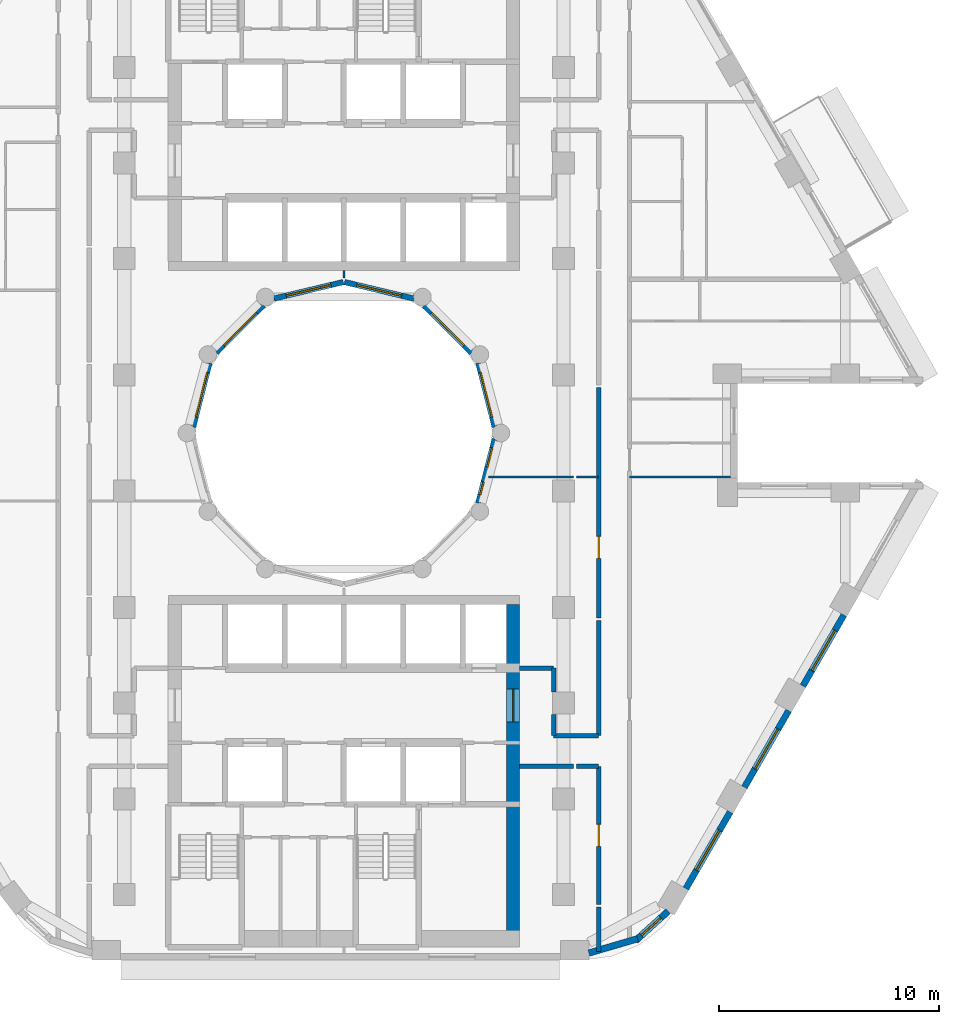
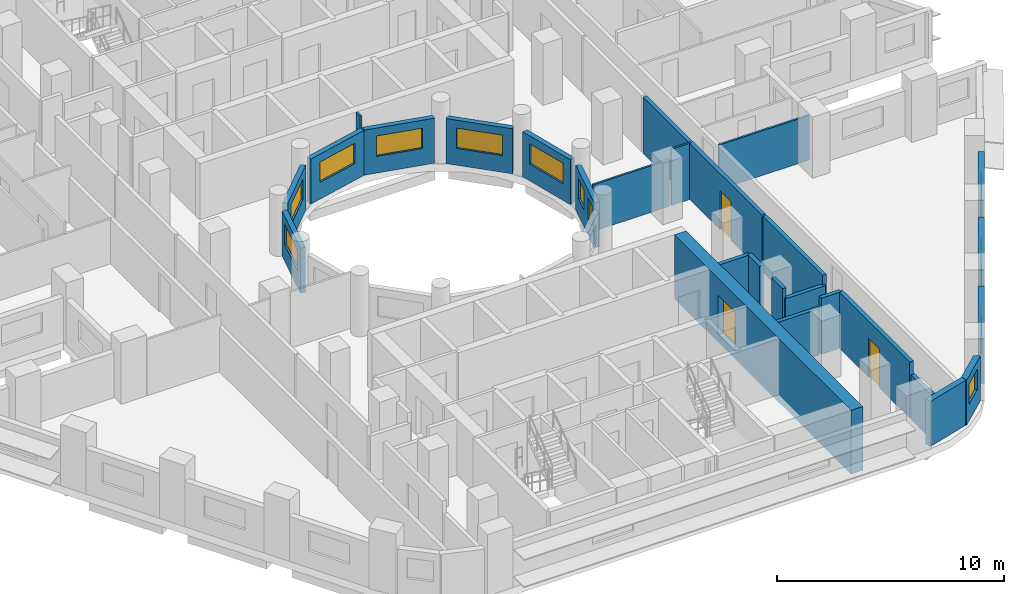
# One storey, part 5 of 14: 27 walls, 12 windows, 3 doors, 15 openings.
"""IFC4 building model written with IfcOpenShell, lengths in metres."""

from ifc_helpers import new_model, si_unit, direction, frame, frame_2d, origin, place, context, subcontext, project, spatial, rectangle, extrude, material, layer, layer_set, type_object, element, fill, save


model = new_model("IFC4")

# Units and contexts
model_context = context("Model", 3, precision=1e-05, world=origin(), true_north=direction((0.0, 1.0)))
body_context = subcontext(model_context, "Body", "Model", "MODEL_VIEW")
ifc_project = project(units=[si_unit("LENGTHUNIT", "METRE"), si_unit("AREAUNIT", "SQUARE_METRE"), si_unit("VOLUMEUNIT", "CUBIC_METRE"), si_unit("PLANEANGLEUNIT", "RADIAN"), si_unit("MASSUNIT", "GRAM", prefix="KILO")], contexts=[model_context])

# Site, building, storey
site_placement = place(None, origin())
site = spatial("IfcSite", under=ifc_project, at=site_placement, CompositionType="ELEMENT")
building_placement = place(site_placement, origin())
building = spatial("IfcBuilding", under=site, at=building_placement, Name="Nakaniwa Court", CompositionType="ELEMENT")
storey_placement = place(building_placement, frame((0.0, 0.0, 127.199951171875)))
storey = spatial("IfcBuildingStorey", under=building, at=storey_placement, Name="L32", CompositionType="ELEMENT", Elevation=127.199951171875)

# Wall
ifc_material_1 = material(Name="Acoustic double stud partition")
ifc_layer_1 = layer(ifc_material_1, 0.199951171875)
ifc_layer_set_1 = layer_set([ifc_layer_1], Name="Acoustic double stud partition")
wall_type_1 = type_object("IfcWallType", Name="Acoustic double stud partition 200", PredefinedType="PARTITIONING", material=ifc_layer_set_1)
wall_1_placement = place(storey_placement, frame((91.60009765625, 56.40087890625, 0.0), z_axis=(0.0, 0.0, 1.0), x_axis=(0.0, 1.0, 0.0)))
element("IfcWall", 1, at=wall_1_placement, inside=storey, type_object=wall_type_1, Name="Partition PW-073", PredefinedType="PARTITIONING", context=body_context, shape_type="SweptSolid", body=[
    extrude(rectangle(XDim=2.02197265625, YDim=0.199951171875, at=frame_2d((1.010986328125, 0.0))), origin(), (0.0, 0.0, 1.0), 2.405029296875),
])

# Wall, opening, door
wall_2_placement = place(storey_placement, frame((91.60009765625, 58.537109375, 0.0), z_axis=(0.0, 0.0, 1.0), x_axis=(0.0, 1.0, 0.0)))
wall_2 = element("IfcWall", 2, at=wall_2_placement, inside=storey, type_object=wall_type_1, Name="Partition PW-074", PredefinedType="PARTITIONING", context=body_context, shape_type="SweptSolid", body=[
    extrude(rectangle(XDim=6.287841796875, YDim=0.199951171875, at=frame_2d((3.14404296875, 0.0))), origin(), (0.0, 0.0, 1.0), 3.025146484375),
])
opening_1_placement = place(wall_2_placement, frame((2.64501953125, 0.0, 0.0)))
opening_1 = element("IfcOpeningElement", 3, at=opening_1_placement, cuts=wall_2, Name="Opening D-02-01", PredefinedType="OPENING", context=body_context, shape_type="SweptSolid", body=[
    extrude(rectangle(XDim=1.0, YDim=2.10009765625, at=frame_2d((0.5, 1.050048828125))), frame((0.0, 0.10986328125, 0.0), z_axis=(0.0, -1.0, 0.0), x_axis=(1.0, 0.0, 0.0)), (0.0, 0.0, 1.0), 0.219970703125),
])
ifc_material_2 = material(Name="Solid core timber door set, black veneer", Category="wood")
door_type_1 = type_object("IfcDoorType", Name="Internal door 1000", OperationType="NOTDEFINED", PredefinedType="DOOR", material=ifc_material_2)
door_1_placement = place(opening_1_placement, origin())
door_1 = element("IfcDoor", 4, at=door_1_placement, inside=storey, type_object=door_type_1, Name="Door D-02-01 L32-021", OperationType="SINGLE_SWING_RIGHT", OverallHeight=2.10009765625, OverallWidth=1.0, PredefinedType="DOOR", context=body_context, shape_type="SweptSolid", body=[
    extrude(rectangle(XDim=1.0, YDim=2.10009765625, at=frame_2d((0.5, 1.050048828125))), frame((0.0, 0.02490234375, 0.0), z_axis=(0.0, -1.0, 0.0), x_axis=(1.0, 0.0, 0.0)), (0.0, 0.0, 1.0), 0.050048828125),
])
fill(opening_1, door_1)

# Wall
wall_3_placement = place(storey_placement, frame((91.60009765625, 66.22509765625, 0.0), z_axis=(0.0, 0.0, 1.0), x_axis=(0.0, 1.0, 0.0)))
element("IfcWall", 5, at=wall_3_placement, inside=storey, type_object=wall_type_1, Name="Partition PW-075", PredefinedType="PARTITIONING", context=body_context, shape_type="SweptSolid", body=[
    extrude(rectangle(XDim=5.247802734375, YDim=0.199951171875, at=frame_2d((2.6240234375, 0.0))), origin(), (0.0, 0.0, 1.0), 3.025146484375),
])

# Wall, opening, door
wall_4_placement = place(storey_placement, frame((91.60009765625, 71.587158203125, 0.0), z_axis=(0.0, 0.0, 1.0), x_axis=(0.0, 1.0, 0.0)))
wall_4 = element("IfcWall", 6, at=wall_4_placement, inside=storey, type_object=wall_type_1, Name="Partition PW-076", PredefinedType="PARTITIONING", context=body_context, shape_type="SweptSolid", body=[
    extrude(rectangle(XDim=10.485595703125, YDim=0.199951171875, at=frame_2d((5.24267578125, 0.0))), origin(), (0.0, 0.0, 1.0), 3.025146484375),
])
opening_2_placement = place(wall_4_placement, frame((2.7080078125, 0.0, 0.0)))
opening_2 = element("IfcOpeningElement", 7, at=opening_2_placement, cuts=wall_4, Name="Opening D-02-10", PredefinedType="OPENING", context=body_context, shape_type="SweptSolid", body=[
    extrude(rectangle(XDim=1.0, YDim=2.10009765625, at=frame_2d((0.5, 1.050048828125))), frame((0.0, 0.10986328125, 0.0), z_axis=(0.0, -1.0, 0.0), x_axis=(1.0, 0.0, 0.0)), (0.0, 0.0, 1.0), 0.219970703125),
])
door_2_placement = place(opening_2_placement, origin())
door_2 = element("IfcDoor", 8, at=door_2_placement, inside=storey, type_object=door_type_1, Name="Door D-02-10 L32-043", OperationType="SINGLE_SWING_RIGHT", OverallHeight=2.10009765625, OverallWidth=1.0, PredefinedType="DOOR", context=body_context, shape_type="SweptSolid", body=[
    extrude(rectangle(XDim=1.0, YDim=2.10009765625, at=frame_2d((0.5, 1.050048828125))), frame((0.0, 0.02490234375, 0.0), z_axis=(0.0, -1.0, 0.0), x_axis=(1.0, 0.0, 0.0)), (0.0, 0.0, 1.0), 0.050048828125),
])
fill(opening_2, door_2)

# Walls
wall_5_placement = place(storey_placement, frame((88.0, 64.824951171875, 0.0), z_axis=(0.0, 0.0, 1.0), x_axis=(1.0, 0.0, 0.0)))
element("IfcWall", 9, at=wall_5_placement, inside=storey, type_object=wall_type_1, Name="Partition PW-083", PredefinedType="PARTITIONING", context=body_context, shape_type="SweptSolid", body=[
    extrude(rectangle(XDim=2.462890625, YDim=0.199951171875, at=frame_2d((1.2314453125, 0.0))), origin(), (0.0, 0.0, 1.0), 2.505126953125),
])
wall_6_placement = place(storey_placement, frame((90.5771484375, 64.824951171875, 0.0), z_axis=(0.0, 0.0, 1.0), x_axis=(1.0, 0.0, 0.0)))
element("IfcWall", 10, at=wall_6_placement, inside=storey, type_object=wall_type_1, Name="Partition PW-084", PredefinedType="PARTITIONING", context=body_context, shape_type="SweptSolid", body=[
    extrude(rectangle(XDim=1.02294921875, YDim=0.199951171875, at=frame_2d((0.511474609375, 0.0))), origin(), (0.0, 0.0, 1.0), 3.025146484375),
])
wall_7_placement = place(storey_placement, frame((89.550048828125, 66.22509765625, 0.0), z_axis=(0.0, 0.0, 1.0), x_axis=(0.0, 1.0, 0.0)))
element("IfcWall", 11, at=wall_7_placement, inside=storey, type_object=wall_type_1, Name="Partition PW-088", PredefinedType="PARTITIONING", context=body_context, shape_type="SweptSolid", body=[
    extrude(rectangle(XDim=0.957763671875, YDim=0.199951171875, at=frame_2d((0.47900390625, 0.0))), origin(), (0.0, 0.0, 1.0), 3.025146484375),
])
wall_8_placement = place(storey_placement, frame((89.550048828125, 68.21728515625, 0.0), z_axis=(0.0, 0.0, 1.0), x_axis=(0.0, 1.0, 0.0)))
element("IfcWall", 12, at=wall_8_placement, inside=storey, type_object=wall_type_1, Name="Partition PW-089", PredefinedType="PARTITIONING", context=body_context, shape_type="SweptSolid", body=[
    extrude(rectangle(XDim=1.082763671875, YDim=0.199951171875, at=frame_2d((0.54150390625, 0.0))), origin(), (0.0, 0.0, 1.0), 3.025146484375),
])
wall_9_placement = place(storey_placement, frame((88.0, 69.300048828125, 0.0), z_axis=(0.0, 0.0, 1.0), x_axis=(1.0, 0.0, 0.0)))
element("IfcWall", 13, at=wall_9_placement, inside=storey, type_object=wall_type_1, Name="Partition PW-099", PredefinedType="PARTITIONING", context=body_context, shape_type="SweptSolid", body=[
    extrude(rectangle(XDim=1.550048828125, YDim=0.199951171875, at=frame_2d((0.77490234375, 0.0))), origin(), (0.0, 0.0, 1.0), 3.025146484375),
])
wall_10_placement = place(storey_placement, frame((89.550048828125, 66.22509765625, 0.0), z_axis=(0.0, 0.0, 1.0), x_axis=(1.0, 0.0, 0.0)))
element("IfcWall", 14, at=wall_10_placement, inside=storey, type_object=wall_type_1, Name="Partition PW-101", PredefinedType="PARTITIONING", context=body_context, shape_type="SweptSolid", body=[
    extrude(rectangle(XDim=2.050048828125, YDim=0.199951171875, at=frame_2d((1.02490234375, 0.0))), origin(), (0.0, 0.0, 1.0), 2.505126953125),
])
ifc_material_3 = material(Name="Charcoal ceramic cladding")
ifc_layer_2 = layer(ifc_material_3, 0.02, Name="Ceramic cladding")
ifc_material_4 = material(Name="Ventilated air cavity")
ifc_layer_3 = layer(ifc_material_4, 0.04, ventilated=True, Name="Ventilated cavity")
ifc_material_5 = material(Name="Mineral wool insulation")
ifc_layer_4 = layer(ifc_material_5, 0.1, Name="Insulation")
ifc_material_6 = material(Name="Cement bonded sheathing board")
ifc_layer_5 = layer(ifc_material_6, 0.012, Name="Sheathing")
ifc_material_7 = material(Name="Cold-formed galvanised stud frame with mineral wool infill")
ifc_layer_6 = layer(ifc_material_7, 0.1, Name="Stud frame")
ifc_material_8 = material(Name="Fire-rated gypsum plasterboard lining")
ifc_layer_7 = layer(ifc_material_8, 0.028, Name="Lining")
ifc_layer_set_2 = layer_set([ifc_layer_2, ifc_layer_3, ifc_layer_4, ifc_layer_5, ifc_layer_6, ifc_layer_7], Name="Charcoal ceramic faced external wall system")
wall_type_2 = type_object("IfcWallType", Name="Black ceramic faced external wall 300", PredefinedType="SOLIDWALL", material=ifc_layer_set_2)
wall_11_placement = place(storey_placement, frame((91.1533203125, 56.328125, 0.0), z_axis=(0.0, 0.0, 1.0), x_axis=(0.959473072336, 0.281800325517, 0.0)))
element("IfcWall", 15, at=wall_11_placement, inside=storey, type_object=wall_type_2, Name="L32 external wall 27", PredefinedType="SOLIDWALL", context=body_context, shape_type="SweptSolid", body=[
    extrude(rectangle(XDim=2.3115234375, YDim=0.300048828125, at=frame_2d((1.15576171875, 0.0))), origin(), (0.0, 0.0, 1.0), 2.425048828125),
])

# Wall, opening, window
wall_12_placement = place(storey_placement, frame((93.2783203125, 56.890380859375, 0.0), z_axis=(0.0, 0.0, 1.0), x_axis=(0.740652597499, 0.671888182526, 0.0)))
wall_12 = element("IfcWall", 16, at=wall_12_placement, inside=storey, type_object=wall_type_2, Name="L32 external wall 28", PredefinedType="SOLIDWALL", context=body_context, shape_type="SweptSolid", body=[
    extrude(rectangle(XDim=1.998779296875, YDim=0.300048828125, at=frame_2d((0.99951171875, 0.0))), origin(), (0.0, 0.0, 1.0), 2.425048828125),
])
opening_3_placement = place(wall_12_placement, frame((0.359619140625, 0.0, 0.89990234375)))
opening_3 = element("IfcOpeningElement", 17, at=opening_3_placement, cuts=wall_12, Name="Opening W6.26", PredefinedType="OPENING", context=body_context, shape_type="SweptSolid", body=[
    extrude(rectangle(XDim=1.199951171875, YDim=1.10009765625, at=frame_2d((0.60009765625, 0.550048828125))), frame((0.0, 0.159912109375, 0.0), z_axis=(0.0, -1.0, 0.0), x_axis=(1.0, 0.0, 0.0)), (0.0, 0.0, 1.0), 0.320068359375),
])
ifc_material_9 = material(Name="Black anodised aluminium frame with dark low-E laminated double glazing", Category="aluminium")
window_type_1 = type_object("IfcWindowType", Name="Dark glass window 1200x1100 sill 900", PartitioningType="SINGLE_PANEL", PredefinedType="WINDOW", material=ifc_material_9)
window_1_placement = place(opening_3_placement, origin())
window_1 = element("IfcWindow", 18, at=window_1_placement, inside=storey, type_object=window_type_1, Name="L32 habitable room window 28-0", OverallHeight=1.10009765625, OverallWidth=1.199951171875, PartitioningType="SINGLE_PANEL", PredefinedType="WINDOW", context=body_context, shape_type="SweptSolid", body=[
    extrude(rectangle(XDim=1.199951171875, YDim=1.10009765625, at=frame_2d((0.60009765625, 0.550048828125))), frame((0.0, 0.030029296875, 0.0), z_axis=(0.0, -1.0, 0.0), x_axis=(1.0, 0.0, 0.0)), (0.0, 0.0, 1.0), 0.06005859375),
])
fill(opening_3, window_1)

wall_13_placement = place(storey_placement, frame((95.565185546875, 59.260009765625, 0.0), z_axis=(0.0, 0.0, 1.0), x_axis=(0.500031546601, 0.86600718958, 0.0)))
wall_13 = element("IfcWall", 19, at=wall_13_placement, inside=storey, type_object=wall_type_2, Name="L32 external wall 29", PredefinedType="SOLIDWALL", context=body_context, shape_type="SweptSolid", body=[
    extrude(rectangle(XDim=4.033935546875, YDim=0.300048828125, at=frame_2d((2.01708984375, 0.0))), origin(), (0.0, 0.0, 1.0), 2.425048828125),
])
opening_4_placement = place(wall_13_placement, frame((0.967041015625, 0.0, 0.89990234375)))
opening_4 = element("IfcOpeningElement", 20, at=opening_4_placement, cuts=wall_13, Name="Opening W7.27", PredefinedType="OPENING", context=body_context, shape_type="SweptSolid", body=[
    extrude(rectangle(XDim=2.10009765625, YDim=1.10009765625, at=frame_2d((1.050048828125, 0.550048828125))), frame((0.0, 0.159912109375, 0.0), z_axis=(0.0, -1.0, 0.0), x_axis=(1.0, 0.0, 0.0)), (0.0, 0.0, 1.0), 0.320068359375),
])
window_type_2 = type_object("IfcWindowType", Name="Dark glass window 2100x1100 sill 900", PartitioningType="SINGLE_PANEL", PredefinedType="WINDOW", material=ifc_material_9)
window_2_placement = place(opening_4_placement, origin())
window_2 = element("IfcWindow", 21, at=window_2_placement, inside=storey, type_object=window_type_2, Name="L32 habitable room window 29-0", OverallHeight=1.10009765625, OverallWidth=2.10009765625, PartitioningType="SINGLE_PANEL", PredefinedType="WINDOW", context=body_context, shape_type="SweptSolid", body=[
    extrude(rectangle(XDim=2.10009765625, YDim=1.10009765625, at=frame_2d((1.050048828125, 0.550048828125))), frame((0.0, 0.030029296875, 0.0), z_axis=(0.0, -1.0, 0.0), x_axis=(1.0, 0.0, 0.0)), (0.0, 0.0, 1.0), 0.06005859375),
])
fill(opening_4, window_2)

wall_14_placement = place(storey_placement, frame((98.228271484375, 63.872314453125, 0.0), z_axis=(0.0, 0.0, 1.0), x_axis=(0.500031546601, 0.86600718958, 0.0)))
wall_14 = element("IfcWall", 22, at=wall_14_placement, inside=storey, type_object=wall_type_2, Name="L32 external wall 30", PredefinedType="SOLIDWALL", context=body_context, shape_type="SweptSolid", body=[
    extrude(rectangle(XDim=4.033935546875, YDim=0.300048828125, at=frame_2d((2.01708984375, 0.0))), origin(), (0.0, 0.0, 1.0), 2.425048828125),
])
opening_5_placement = place(wall_14_placement, frame((0.966796875, 0.0, 0.89990234375)))
opening_5 = element("IfcOpeningElement", 23, at=opening_5_placement, cuts=wall_14, Name="Opening W7.28", PredefinedType="OPENING", context=body_context, shape_type="SweptSolid", body=[
    extrude(rectangle(XDim=2.10009765625, YDim=1.10009765625, at=frame_2d((1.050048828125, 0.550048828125))), frame((0.0, 0.159912109375, 0.0), z_axis=(0.0, -1.0, 0.0), x_axis=(1.0, 0.0, 0.0)), (0.0, 0.0, 1.0), 0.320068359375),
])
window_3_placement = place(opening_5_placement, origin())
window_3 = element("IfcWindow", 24, at=window_3_placement, inside=storey, type_object=window_type_2, Name="L32 habitable room window 30-0", OverallHeight=1.10009765625, OverallWidth=2.10009765625, PartitioningType="SINGLE_PANEL", PredefinedType="WINDOW", context=body_context, shape_type="SweptSolid", body=[
    extrude(rectangle(XDim=2.10009765625, YDim=1.10009765625, at=frame_2d((1.050048828125, 0.550048828125))), frame((0.0, 0.030029296875, 0.0), z_axis=(0.0, -1.0, 0.0), x_axis=(1.0, 0.0, 0.0)), (0.0, 0.0, 1.0), 0.06005859375),
])
fill(opening_5, window_3)

wall_15_placement = place(storey_placement, frame((100.891357421875, 68.484619140625, 0.0), z_axis=(0.0, 0.0, 1.0), x_axis=(0.499933594891, 0.866063739398, 0.0)))
wall_15 = element("IfcWall", 25, at=wall_15_placement, inside=storey, type_object=wall_type_2, Name="L32 external wall 31", PredefinedType="SOLIDWALL", context=body_context, shape_type="SweptSolid", body=[
    extrude(rectangle(XDim=3.73681640625, YDim=0.300048828125, at=frame_2d((1.868408203125, 0.0))), origin(), (0.0, 0.0, 1.0), 2.425048828125),
])
opening_6_placement = place(wall_15_placement, frame((0.818359375, 0.0, 0.89990234375)))
opening_6 = element("IfcOpeningElement", 26, at=opening_6_placement, cuts=wall_15, Name="Opening W7.29", PredefinedType="OPENING", context=body_context, shape_type="SweptSolid", body=[
    extrude(rectangle(XDim=2.10009765625, YDim=1.10009765625, at=frame_2d((1.050048828125, 0.550048828125))), frame((0.0, 0.159912109375, 0.0), z_axis=(0.0, -1.0, 0.0), x_axis=(1.0, 0.0, 0.0)), (0.0, 0.0, 1.0), 0.320068359375),
])
window_4_placement = place(opening_6_placement, origin())
window_4 = element("IfcWindow", 27, at=window_4_placement, inside=storey, type_object=window_type_2, Name="L32 habitable room window 31-0", OverallHeight=1.10009765625, OverallWidth=2.10009765625, PartitioningType="SINGLE_PANEL", PredefinedType="WINDOW", context=body_context, shape_type="SweptSolid", body=[
    extrude(rectangle(XDim=2.10009765625, YDim=1.10009765625, at=frame_2d((1.050048828125, 0.550048828125))), frame((0.0, 0.030029296875, 0.0), z_axis=(0.0, -1.0, 0.0), x_axis=(1.0, 0.0, 0.0)), (0.0, 0.0, 1.0), 0.06005859375),
])
fill(opening_6, window_4)

# Wall, openings, windows
ifc_layer_8 = layer(ifc_material_3, 0.02, Name="Ceramic cladding")
ifc_layer_9 = layer(ifc_material_4, 0.04, ventilated=True, Name="Ventilated cavity")
ifc_layer_10 = layer(ifc_material_5, 0.075, Name="Insulation")
ifc_layer_11 = layer(ifc_material_6, 0.012, Name="Sheathing")
ifc_layer_12 = layer(ifc_material_7, 0.075, Name="Stud frame")
ifc_layer_13 = layer(ifc_material_8, 0.028, Name="Lining")
ifc_layer_set_3 = layer_set([ifc_layer_8, ifc_layer_9, ifc_layer_10, ifc_layer_11, ifc_layer_12, ifc_layer_13], Name="Charcoal ceramic faced external wall system")
wall_type_3 = type_object("IfcWallType", Name="Charcoal ceramic faced well wall 250", PredefinedType="SOLIDWALL", material=ifc_layer_set_3)
wall_16_placement = place(storey_placement, frame((86.8603515625, 79.72998046875, 0.0), z_axis=(0.0, 0.0, 1.0), x_axis=(-0.247055971283, -0.969001211069, 0.0)))
wall_16 = element("IfcWall", 28, at=wall_16_placement, inside=storey, type_object=wall_type_3, Name="L32 external wall 36", PredefinedType="SOLIDWALL", context=body_context, shape_type="SweptSolid", body=[
    extrude(rectangle(XDim=3.010009765625, YDim=0.25, at=frame_2d((1.5048828125, 0.0))), origin(), (0.0, 0.0, 1.0), 2.425048828125),
])
opening_7_placement = place(wall_16_placement, frame((0.418701171875, 0.0, 0.89990234375)))
opening_7 = element("IfcOpeningElement", 29, at=opening_7_placement, cuts=wall_16, Name="Opening W9.34", PredefinedType="OPENING", context=body_context, shape_type="SweptSolid", body=[
    extrude(rectangle(XDim=0.89990234375, YDim=1.10009765625, at=frame_2d((0.449951171875, 0.550048828125))), frame((0.0, 0.135009765625, 0.0), z_axis=(0.0, -1.0, 0.0), x_axis=(1.0, 0.0, 0.0)), (0.0, 0.0, 1.0), 0.27001953125),
])
opening_8_placement = place(wall_16_placement, frame((2.018310546875, 0.0, 0.89990234375)))
opening_8 = element("IfcOpeningElement", 30, at=opening_8_placement, cuts=wall_16, Name="Opening W8.35", PredefinedType="OPENING", context=body_context, shape_type="SweptSolid", body=[
    extrude(rectangle(XDim=0.60009765625, YDim=1.10009765625, at=frame_2d((0.300048828125, 0.550048828125))), frame((0.0, 0.135009765625, 0.0), z_axis=(0.0, -1.0, 0.0), x_axis=(1.0, 0.0, 0.0)), (0.0, 0.0, 1.0), 0.27001953125),
])
window_type_3 = type_object("IfcWindowType", Name="Dark glass window 600x1100 sill 900", PartitioningType="SINGLE_PANEL", PredefinedType="WINDOW", material=ifc_material_9)
window_5_placement = place(opening_8_placement, origin())
window_5 = element("IfcWindow", 31, at=window_5_placement, inside=storey, type_object=window_type_3, Name="L32 habitable room window 36-1", OverallHeight=1.10009765625, OverallWidth=0.60009765625, PartitioningType="SINGLE_PANEL", PredefinedType="WINDOW", context=body_context, shape_type="SweptSolid", body=[
    extrude(rectangle(XDim=0.60009765625, YDim=1.10009765625, at=frame_2d((0.300048828125, 0.550048828125))), frame((0.0, 0.030029296875, 0.0), z_axis=(0.0, -1.0, 0.0), x_axis=(1.0, 0.0, 0.0)), (0.0, 0.0, 1.0), 0.06005859375),
])
fill(opening_8, window_5)
window_type_4 = type_object("IfcWindowType", Name="Dark glass window 900x1100 sill 900", PartitioningType="SINGLE_PANEL", PredefinedType="WINDOW", material=ifc_material_9)
window_6_placement = place(opening_7_placement, origin())
window_6 = element("IfcWindow", 32, at=window_6_placement, inside=storey, type_object=window_type_4, Name="L32 habitable room window 36-0", OverallHeight=1.10009765625, OverallWidth=0.89990234375, PartitioningType="SINGLE_PANEL", PredefinedType="WINDOW", context=body_context, shape_type="SweptSolid", body=[
    extrude(rectangle(XDim=0.89990234375, YDim=1.10009765625, at=frame_2d((0.449951171875, 0.550048828125))), frame((0.0, 0.030029296875, 0.0), z_axis=(0.0, -1.0, 0.0), x_axis=(1.0, 0.0, 0.0)), (0.0, 0.0, 1.0), 0.06005859375),
])
fill(opening_7, window_6)

# Wall, opening, window
wall_17_placement = place(storey_placement, frame((73.1396484375, 80.27001953125, 0.0), z_axis=(0.0, 0.0, 1.0), x_axis=(0.247055971283, 0.969001211069, 0.0)))
wall_17 = element("IfcWall", 33, at=wall_17_placement, inside=storey, type_object=wall_type_3, Name="L32 external wall 42", PredefinedType="SOLIDWALL", context=body_context, shape_type="SweptSolid", body=[
    extrude(rectangle(XDim=3.010009765625, YDim=0.25, at=frame_2d((1.5048828125, 0.0))), origin(), (0.0, 0.0, 1.0), 2.425048828125),
])
opening_9_placement = place(wall_17_placement, frame((0.46875, 0.0, 0.89990234375)))
opening_9 = element("IfcOpeningElement", 34, at=opening_9_placement, cuts=wall_17, Name="Opening W7.41", PredefinedType="OPENING", context=body_context, shape_type="SweptSolid", body=[
    extrude(rectangle(XDim=2.10009765625, YDim=1.10009765625, at=frame_2d((1.050048828125, 0.550048828125))), frame((0.0, 0.135009765625, 0.0), z_axis=(0.0, -1.0, 0.0), x_axis=(1.0, 0.0, 0.0)), (0.0, 0.0, 1.0), 0.27001953125),
])
window_7_placement = place(opening_9_placement, origin())
window_7 = element("IfcWindow", 35, at=window_7_placement, inside=storey, type_object=window_type_2, Name="L32 habitable room window 42-0", OverallHeight=1.10009765625, OverallWidth=2.10009765625, PartitioningType="SINGLE_PANEL", PredefinedType="WINDOW", context=body_context, shape_type="SweptSolid", body=[
    extrude(rectangle(XDim=2.10009765625, YDim=1.10009765625, at=frame_2d((1.050048828125, 0.550048828125))), frame((0.0, 0.030029296875, 0.0), z_axis=(0.0, -1.0, 0.0), x_axis=(1.0, 0.0, 0.0)), (0.0, 0.0, 1.0), 0.06005859375),
])
fill(opening_9, window_7)

wall_18_placement = place(storey_placement, frame((74.1943359375, 83.660888671875, 0.0), z_axis=(0.0, 0.0, 1.0), x_axis=(0.707106781187, 0.707106781187, 0.0)))
wall_18 = element("IfcWall", 36, at=wall_18_placement, inside=storey, type_object=wall_type_3, Name="L32 external wall 43", PredefinedType="SOLIDWALL", context=body_context, shape_type="SweptSolid", body=[
    extrude(rectangle(XDim=3.033203125, YDim=0.25, at=frame_2d((1.5166015625, 0.0))), origin(), (0.0, 0.0, 1.0), 2.425048828125),
])
opening_10_placement = place(wall_18_placement, frame((0.466552734375, 0.0, 0.89990234375)))
opening_10 = element("IfcOpeningElement", 37, at=opening_10_placement, cuts=wall_18, Name="Opening W7.42", PredefinedType="OPENING", context=body_context, shape_type="SweptSolid", body=[
    extrude(rectangle(XDim=2.10009765625, YDim=1.10009765625, at=frame_2d((1.050048828125, 0.550048828125))), frame((0.0, 0.135009765625, 0.0), z_axis=(0.0, -1.0, 0.0), x_axis=(1.0, 0.0, 0.0)), (0.0, 0.0, 1.0), 0.27001953125),
])
window_8_placement = place(opening_10_placement, origin())
window_8 = element("IfcWindow", 38, at=window_8_placement, inside=storey, type_object=window_type_2, Name="L32 habitable room window 43-0", OverallHeight=1.10009765625, OverallWidth=2.10009765625, PartitioningType="SINGLE_PANEL", PredefinedType="WINDOW", context=body_context, shape_type="SweptSolid", body=[
    extrude(rectangle(XDim=2.10009765625, YDim=1.10009765625, at=frame_2d((1.050048828125, 0.550048828125))), frame((0.0, 0.030029296875, 0.0), z_axis=(0.0, -1.0, 0.0), x_axis=(1.0, 0.0, 0.0)), (0.0, 0.0, 1.0), 0.06005859375),
])
fill(opening_10, window_8)

wall_19_placement = place(storey_placement, frame((76.813720703125, 86.119384765625, 0.0), z_axis=(0.0, 0.0, 1.0), x_axis=(0.972773113459, 0.231759508395, 0.0)))
wall_19 = element("IfcWall", 39, at=wall_19_placement, inside=storey, type_object=wall_type_3, Name="L32 external wall 44", PredefinedType="SOLIDWALL", context=body_context, shape_type="SweptSolid", body=[
    extrude(rectangle(XDim=3.24560546875, YDim=0.25, at=frame_2d((1.622802734375, 0.0))), origin(), (0.0, 0.0, 1.0), 2.425048828125),
])
opening_11_placement = place(wall_19_placement, frame((0.57275390625, 0.0, 0.89990234375)))
opening_11 = element("IfcOpeningElement", 40, at=opening_11_placement, cuts=wall_19, Name="Opening W7.43", PredefinedType="OPENING", context=body_context, shape_type="SweptSolid", body=[
    extrude(rectangle(XDim=2.10009765625, YDim=1.10009765625, at=frame_2d((1.050048828125, 0.550048828125))), frame((0.0, 0.135009765625, 0.0), z_axis=(0.0, -1.0, 0.0), x_axis=(1.0, 0.0, 0.0)), (0.0, 0.0, 1.0), 0.27001953125),
])
window_9_placement = place(opening_11_placement, origin())
window_9 = element("IfcWindow", 41, at=window_9_placement, inside=storey, type_object=window_type_2, Name="L32 habitable room window 44-0", OverallHeight=1.10009765625, OverallWidth=2.10009765625, PartitioningType="SINGLE_PANEL", PredefinedType="WINDOW", context=body_context, shape_type="SweptSolid", body=[
    extrude(rectangle(XDim=2.10009765625, YDim=1.10009765625, at=frame_2d((1.050048828125, 0.550048828125))), frame((0.0, 0.030029296875, 0.0), z_axis=(0.0, -1.0, 0.0), x_axis=(1.0, 0.0, 0.0)), (0.0, 0.0, 1.0), 0.06005859375),
])
fill(opening_11, window_9)

wall_20_placement = place(storey_placement, frame((80.029052734375, 86.87158203125, 0.0), z_axis=(0.0, 0.0, 1.0), x_axis=(0.972773113459, -0.231759508395, 0.0)))
wall_20 = element("IfcWall", 42, at=wall_20_placement, inside=storey, type_object=wall_type_3, Name="L32 external wall 45", PredefinedType="SOLIDWALL", context=body_context, shape_type="SweptSolid", body=[
    extrude(rectangle(XDim=3.24560546875, YDim=0.25, at=frame_2d((1.622802734375, 0.0))), origin(), (0.0, 0.0, 1.0), 2.425048828125),
])
opening_12_placement = place(wall_20_placement, frame((0.57275390625, 0.0, 0.89990234375)))
opening_12 = element("IfcOpeningElement", 43, at=opening_12_placement, cuts=wall_20, Name="Opening W7.44", PredefinedType="OPENING", context=body_context, shape_type="SweptSolid", body=[
    extrude(rectangle(XDim=2.10009765625, YDim=1.10009765625, at=frame_2d((1.050048828125, 0.550048828125))), frame((0.0, 0.135009765625, 0.0), z_axis=(0.0, -1.0, 0.0), x_axis=(1.0, 0.0, 0.0)), (0.0, 0.0, 1.0), 0.27001953125),
])
window_10_placement = place(opening_12_placement, origin())
window_10 = element("IfcWindow", 44, at=window_10_placement, inside=storey, type_object=window_type_2, Name="L32 habitable room window 45-0", OverallHeight=1.10009765625, OverallWidth=2.10009765625, PartitioningType="SINGLE_PANEL", PredefinedType="WINDOW", context=body_context, shape_type="SweptSolid", body=[
    extrude(rectangle(XDim=2.10009765625, YDim=1.10009765625, at=frame_2d((1.050048828125, 0.550048828125))), frame((0.0, 0.030029296875, 0.0), z_axis=(0.0, -1.0, 0.0), x_axis=(1.0, 0.0, 0.0)), (0.0, 0.0, 1.0), 0.06005859375),
])
fill(opening_12, window_10)

wall_21_placement = place(storey_placement, frame((83.660888671875, 85.8056640625, 0.0), z_axis=(0.0, 0.0, 1.0), x_axis=(0.707106781187, -0.707106781187, 0.0)))
wall_21 = element("IfcWall", 45, at=wall_21_placement, inside=storey, type_object=wall_type_3, Name="L32 external wall 46", PredefinedType="SOLIDWALL", context=body_context, shape_type="SweptSolid", body=[
    extrude(rectangle(XDim=3.033203125, YDim=0.25, at=frame_2d((1.5166015625, 0.0))), origin(), (0.0, 0.0, 1.0), 2.425048828125),
])
opening_13_placement = place(wall_21_placement, frame((0.466552734375, 0.0, 0.89990234375)))
opening_13 = element("IfcOpeningElement", 46, at=opening_13_placement, cuts=wall_21, Name="Opening W7.45", PredefinedType="OPENING", context=body_context, shape_type="SweptSolid", body=[
    extrude(rectangle(XDim=2.10009765625, YDim=1.10009765625, at=frame_2d((1.050048828125, 0.550048828125))), frame((0.0, 0.135009765625, 0.0), z_axis=(0.0, -1.0, 0.0), x_axis=(1.0, 0.0, 0.0)), (0.0, 0.0, 1.0), 0.27001953125),
])
window_11_placement = place(opening_13_placement, origin())
window_11 = element("IfcWindow", 47, at=window_11_placement, inside=storey, type_object=window_type_2, Name="L32 habitable room window 46-0", OverallHeight=1.10009765625, OverallWidth=2.10009765625, PartitioningType="SINGLE_PANEL", PredefinedType="WINDOW", context=body_context, shape_type="SweptSolid", body=[
    extrude(rectangle(XDim=2.10009765625, YDim=1.10009765625, at=frame_2d((1.050048828125, 0.550048828125))), frame((0.0, 0.030029296875, 0.0), z_axis=(0.0, -1.0, 0.0), x_axis=(1.0, 0.0, 0.0)), (0.0, 0.0, 1.0), 0.06005859375),
])
fill(opening_13, window_11)

wall_22_placement = place(storey_placement, frame((86.11669921875, 83.186767578125, 0.0), z_axis=(0.0, 0.0, 1.0), x_axis=(0.247055971283, -0.969001211069, 0.0)))
wall_22 = element("IfcWall", 48, at=wall_22_placement, inside=storey, type_object=wall_type_3, Name="L32 external wall 47", PredefinedType="SOLIDWALL", context=body_context, shape_type="SweptSolid", body=[
    extrude(rectangle(XDim=3.010009765625, YDim=0.25, at=frame_2d((1.5048828125, 0.0))), origin(), (0.0, 0.0, 1.0), 2.425048828125),
])
opening_14_placement = place(wall_22_placement, frame((0.441162109375, 0.0, 0.89990234375)))
opening_14 = element("IfcOpeningElement", 49, at=opening_14_placement, cuts=wall_22, Name="Opening W7.46", PredefinedType="OPENING", context=body_context, shape_type="SweptSolid", body=[
    extrude(rectangle(XDim=2.10009765625, YDim=1.10009765625, at=frame_2d((1.050048828125, 0.550048828125))), frame((0.0, 0.135009765625, 0.0), z_axis=(0.0, -1.0, 0.0), x_axis=(1.0, 0.0, 0.0)), (0.0, 0.0, 1.0), 0.27001953125),
])
window_12_placement = place(opening_14_placement, origin())
window_12 = element("IfcWindow", 50, at=window_12_placement, inside=storey, type_object=window_type_2, Name="L32 habitable room window 47-0", OverallHeight=1.10009765625, OverallWidth=2.10009765625, PartitioningType="SINGLE_PANEL", PredefinedType="WINDOW", context=body_context, shape_type="SweptSolid", body=[
    extrude(rectangle(XDim=2.10009765625, YDim=1.10009765625, at=frame_2d((1.050048828125, 0.550048828125))), frame((0.0, 0.030029296875, 0.0), z_axis=(0.0, -1.0, 0.0), x_axis=(1.0, 0.0, 0.0)), (0.0, 0.0, 1.0), 0.06005859375),
])
fill(opening_14, window_12)

# Wall, opening, door
ifc_material_10 = material(Name="Concrete C80/100", Category="concrete")
ifc_layer_14 = layer(ifc_material_10, 0.60009765625)
ifc_layer_set_4 = layer_set([ifc_layer_14], Name="Concrete C80/100")
wall_type_4 = type_object("IfcWallType", Name="Concrete core side wall 600 C80", PredefinedType="SHEAR", material=ifc_layer_set_4)
wall_23_placement = place(storey_placement, frame((87.699951171875, 72.199951171875, -0.409912109375), z_axis=(0.0, 0.0, 1.0), x_axis=(0.0, -1.0, 0.0)))
wall_23 = element("IfcWall", 51, at=wall_23_placement, inside=storey, type_object=wall_type_4, Name="Core wall SW-50", PredefinedType="SHEAR", context=body_context, shape_type="SweptSolid", body=[
    extrude(rectangle(XDim=15.599853515625, YDim=0.60009765625, at=frame_2d((7.7998046875, 0.0))), origin(), (0.0, 0.0, 1.0), 3.43505859375),
])
opening_15_placement = place(wall_23_placement, frame((3.85205078125, 0.0, 0.409912109375)))
opening_15 = element("IfcOpeningElement", 52, at=opening_15_placement, cuts=wall_23, Name="Opening D-07-03", PredefinedType="OPENING", context=body_context, shape_type="SweptSolid", body=[
    extrude(rectangle(XDim=1.5, YDim=2.10009765625, at=frame_2d((0.75, 1.050048828125))), frame((0.0, 0.31005859375, 0.0), z_axis=(0.0, -1.0, 0.0), x_axis=(1.0, 0.0, 0.0)), (0.0, 0.0, 1.0), 0.6201171875),
])
ifc_material_11 = material(Name="Glazed fire rated steel double door set", Category="steel")
door_type_2 = type_object("IfcDoorType", Name="Lobby double door 1500", OperationType="NOTDEFINED", PredefinedType="DOOR", material=ifc_material_11)
door_3_placement = place(opening_15_placement, origin())
door_3 = element("IfcDoor", 53, at=door_3_placement, inside=storey, type_object=door_type_2, Name="Door D-07-03 L32-049", OperationType="DOUBLE_DOOR_SINGLE_SWING", OverallHeight=2.10009765625, OverallWidth=1.5, PredefinedType="DOOR", context=body_context, shape_type="SweptSolid", body=[
    extrude(rectangle(XDim=1.5, YDim=2.10009765625, at=frame_2d((0.75, 1.050048828125))), frame((0.0, 0.02490234375, 0.0), z_axis=(0.0, -1.0, 0.0), x_axis=(1.0, 0.0, 0.0)), (0.0, 0.0, 1.0), 0.050048828125),
])
fill(opening_15, door_3)

# Walls
ifc_material_12 = material(Name="Single stud plasterboard partition")
ifc_layer_15 = layer(ifc_material_12, 0.10009765625)
ifc_layer_set_5 = layer_set([ifc_layer_15], Name="Single stud plasterboard partition")
wall_type_5 = type_object("IfcWallType", Name="Single stud plasterboard partition 100", PredefinedType="PARTITIONING", material=ifc_layer_set_5)
wall_24_placement = place(storey_placement, frame((80.0, 87.048095703125, 0.0), z_axis=(0.0, 0.0, 1.0), x_axis=(0.0, 1.0, 0.0)))
element("IfcWall", 54, at=wall_24_placement, inside=storey, type_object=wall_type_5, Name="Partition PW-117", PredefinedType="PARTITIONING", context=body_context, shape_type="SweptSolid", body=[
    extrude(rectangle(XDim=0.351806640625, YDim=0.10009765625, at=frame_2d((0.17578125, 0.0))), origin(), (0.0, 0.0, 1.0), 3.025146484375),
])
wall_25_placement = place(storey_placement, frame((86.578125, 78.0, 0.0), z_axis=(0.0, 0.0, 1.0), x_axis=(1.0, 0.0, 0.0)))
element("IfcWall", 55, at=wall_25_placement, inside=storey, type_object=wall_type_5, Name="Partition PW-119", PredefinedType="PARTITIONING", context=body_context, shape_type="SweptSolid", body=[
    extrude(rectangle(XDim=3.884765625, YDim=0.10009765625, at=frame_2d((1.9423828125, 0.0))), origin(), (0.0, 0.0, 1.0), 2.505126953125),
])
wall_26_placement = place(storey_placement, frame((90.576904296875, 78.0, 0.0), z_axis=(0.0, 0.0, 1.0), x_axis=(1.0, 0.0, 0.0)))
element("IfcWall", 56, at=wall_26_placement, inside=storey, type_object=wall_type_5, Name="Partition PW-120", PredefinedType="PARTITIONING", context=body_context, shape_type="SweptSolid", body=[
    extrude(rectangle(XDim=1.022216796875, YDim=0.10009765625, at=frame_2d((0.51123046875, 0.0))), origin(), (0.0, 0.0, 1.0), 3.025146484375),
])
wall_27_placement = place(storey_placement, frame((93.0009765625, 78.0, 0.0), z_axis=(0.0, 0.0, 1.0), x_axis=(1.0, 0.0, 0.0)))
element("IfcWall", 57, at=wall_27_placement, inside=storey, type_object=wall_type_5, Name="Partition PW-121", PredefinedType="PARTITIONING", context=body_context, shape_type="SweptSolid", body=[
    extrude(rectangle(XDim=4.607421875, YDim=0.10009765625, at=frame_2d((2.3037109375, 0.0))), origin(), (0.0, 0.0, 1.0), 2.405029296875),
])

save(model, "model.ifc")
